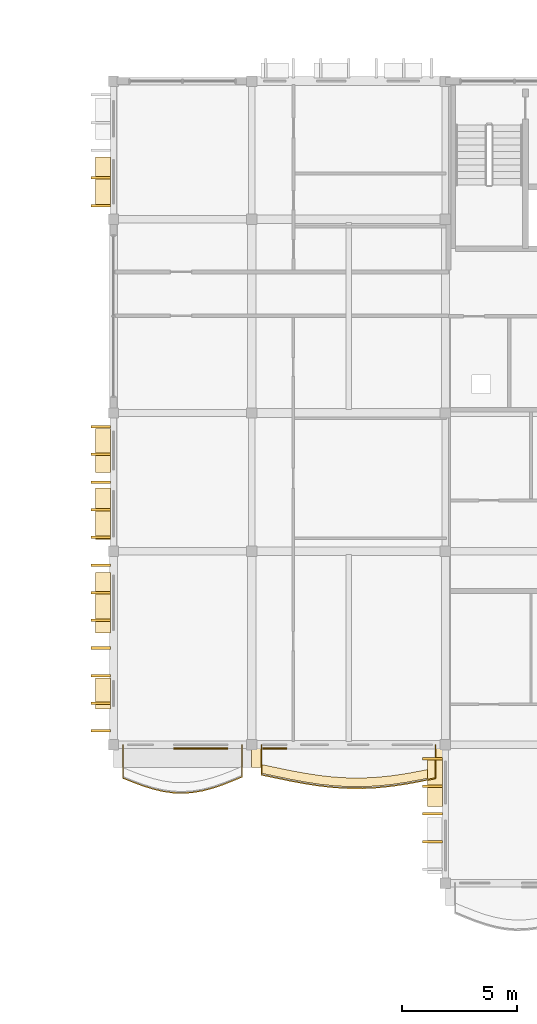
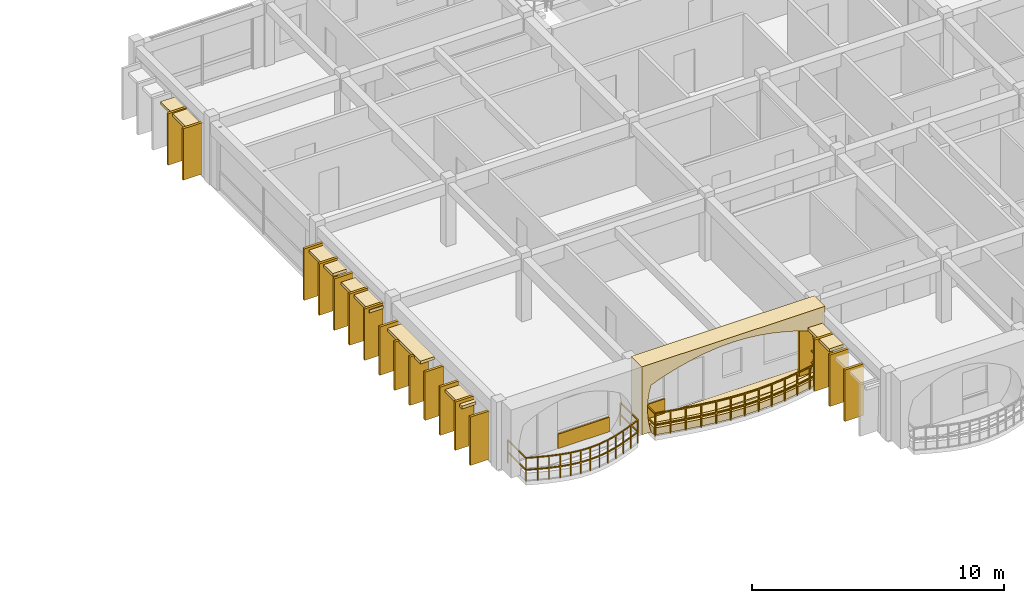
# One storey, part 67 of 76: 28 coverings, 2 railings.
"""IFC4 building model written with IfcOpenShell, lengths in metres."""

from ifc_helpers import new_model, si_unit, direction, frame, origin, origin_2d, place, context, subcontext, project, spatial, polyline, rectangle, outline, extrude, material, layer, layer_set, type_object, element, save


model = new_model("IFC4")

# Units and contexts
model_context = context("Model", 3, precision=1e-05, world=origin(), true_north=direction((0.0, 1.0)))
body_context = subcontext(model_context, "Body", "Model", "MODEL_VIEW")
ifc_project = project(units=[si_unit("LENGTHUNIT", "METRE"), si_unit("AREAUNIT", "SQUARE_METRE"), si_unit("VOLUMEUNIT", "CUBIC_METRE"), si_unit("PLANEANGLEUNIT", "RADIAN"), si_unit("MASSUNIT", "GRAM", prefix="KILO"), si_unit("THERMODYNAMICTEMPERATUREUNIT", "KELVIN")], contexts=[model_context])

# Site, building, storey
site_placement = place(None, origin())
site = spatial("IfcSite", under=ifc_project, at=site_placement, CompositionType="ELEMENT")
building_placement = place(site_placement, origin())
building = spatial("IfcBuilding", under=site, at=building_placement, Name="Thalorik Housing Commons", CompositionType="ELEMENT")
storey_placement = place(building_placement, frame((0.0, 0.0, 18.0)))
storey = spatial("IfcBuildingStorey", under=building, at=storey_placement, Name="L05", CompositionType="ELEMENT", Elevation=18.0)

# Coverings
ifc_material_1 = material(Name="Precast concrete C40/50", Category="concrete")
ifc_layer_1 = layer(ifc_material_1, 0.85009765625, Name="Precast concrete C40/50", Category="concrete")
ifc_layer_set_1 = layer_set([ifc_layer_1], Name="Precast concrete C40/50")
covering_type_1 = type_object("IfcCoveringType", Name="ARC-CLD-CUSH-850", PredefinedType="CLADDING", material=ifc_layer_set_1)
covering_1_placement = place(storey_placement, frame((148.199951171875, 42.64501953125, 0.0), z_axis=(0.0, 0.0, 1.0), x_axis=(1.0, 0.0, 0.0)))
element("IfcCovering", 1, at=covering_1_placement, inside=storey, type_object=covering_type_1, Name="L05 White Precast Curved Cushion Bay Frame 4878", PredefinedType="CLADDING", context=body_context, shape_type="SweptSolid", body=[
    extrude(outline(polyline([(-4.199951171875, 0.0), (4.199951171875, 0.0), (4.199951171875, 3.300048828125), (-4.199951171875, 3.300048828125), (-4.199951171875, 0.0)]), holes=[polyline([(3.6923828125, 0.02490234375), (3.799560546875, 0.399169921875), (3.864013671875, 0.773193359375), (3.885498046875, 1.1474609375), (3.864013671875, 1.521728515625), (3.799560546875, 1.895751953125), (3.6923828125, 2.27001953125), (3.06982421875, 2.50439453125), (2.447021484375, 2.6884765625), (1.824462890625, 2.837646484375), (1.20166015625, 2.948486328125), (0.5791015625, 3.016845703125), (-0.043701171875, 3.0400390625), (-0.66650390625, 3.016845703125), (-1.289306640625, 2.948486328125), (-1.911865234375, 2.837646484375), (-2.53466796875, 2.6884765625), (-3.1572265625, 2.50439453125), (-3.780029296875, 2.27001953125), (-3.86865234375, 1.895751953125), (-3.921875, 1.521728515625), (-3.939697265625, 1.1474609375), (-3.921875, 0.773193359375), (-3.86865234375, 0.399169921875), (-3.780029296875, 0.02490234375), (3.6923828125, 0.02490234375)])]), frame((0.0, 0.425048828125, 0.0), z_axis=(0.0, -1.0, 0.0), x_axis=(1.0, 0.0, 0.0)), (0.0, 0.0, 1.0), 0.85009765625),
])
ifc_layer_2 = layer(ifc_material_1, 0.85009765625, Name="Precast concrete C40/50", Category="concrete")
ifc_layer_set_2 = layer_set([ifc_layer_2], Name="Precast concrete C40/50")
covering_type_2 = type_object("IfcCoveringType", Name="ARC-CLD-FIN-850", PredefinedType="CLADDING", material=ifc_layer_set_2)
for number, where, z_axis, x_axis, name in (
    (2, (137.445068359375, 67.800048828125, 0.0400390625), (0.0, 0.0, 1.0), (0.0, -1.0, 0.0), "L05 Courtyard Precast Vertical Brise-Soleil Fin 4856"),
    (3, (137.445068359375, 66.60009765625, 0.0400390625), (0.0, 0.0, 1.0), (0.0, -1.0, 0.0), "L05 Courtyard Precast Vertical Brise-Soleil Fin 4857"),
    (4, (137.445068359375, 57.0, 0.0400390625), (0.0, 0.0, 1.0), (0.0, -1.0, 0.0), "L05 Courtyard Precast Vertical Brise-Soleil Fin 4860"),
    (5, (137.445068359375, 55.800048828125, 0.0400390625), (0.0, 0.0, 1.0), (0.0, -1.0, 0.0), "L05 Courtyard Precast Vertical Brise-Soleil Fin 4861"),
    (6, (137.445068359375, 54.60009765625, 0.0400390625), (0.0, 0.0, 1.0), (0.0, -1.0, 0.0), "L05 Courtyard Precast Vertical Brise-Soleil Fin 4862"),
    (7, (137.445068359375, 53.39990234375, 0.0400390625), (0.0, 0.0, 1.0), (0.0, -1.0, 0.0), "L05 Courtyard Precast Vertical Brise-Soleil Fin 4863"),
    (8, (137.445068359375, 52.199951171875, 0.0400390625), (0.0, 0.0, 1.0), (0.0, -1.0, 0.0), "L05 Courtyard Precast Vertical Brise-Soleil Fin 4864"),
):
    element("IfcCovering", number, at=place(storey_placement, frame(where, z_axis=z_axis, x_axis=x_axis)), inside=storey, type_object=covering_type_2, Name=name, PredefinedType="CLADDING", context=body_context, shape_type="SweptSolid", body=[
        extrude(rectangle(XDim=0.110107421875, YDim=0.85009765625, at=origin_2d()), origin(), (0.0, 0.0, 1.0), 2.4951171875),
    ])
for number, where, z_axis, x_axis, name in (
    (9, (137.445068359375, 51.0, 0.0400390625), (0.0, 0.0, 1.0), (0.0, -1.0, 0.0), "L05 Courtyard Precast Vertical Brise-Soleil Fin 4867"),
    (10, (137.445068359375, 49.800048828125, 0.0400390625), (0.0, 0.0, 1.0), (0.0, -1.0, 0.0), "L05 Courtyard Precast Vertical Brise-Soleil Fin 4868"),
    (11, (137.445068359375, 48.60009765625, 0.0400390625), (0.0, 0.0, 1.0), (0.0, -1.0, 0.0), "L05 Courtyard Precast Vertical Brise-Soleil Fin 4869"),
    (12, (137.445068359375, 47.39990234375, 0.0400390625), (0.0, 0.0, 1.0), (0.0, -1.0, 0.0), "L05 Courtyard Precast Vertical Brise-Soleil Fin 4870"),
    (13, (137.445068359375, 46.199951171875, 0.0400390625), (0.0, 0.0, 1.0), (0.0, -1.0, 0.0), "L05 Courtyard Precast Vertical Brise-Soleil Fin 4871"),
    (14, (137.445068359375, 45.0, 0.0400390625), (0.0, 0.0, 1.0), (0.0, -1.0, 0.0), "L05 Courtyard Precast Vertical Brise-Soleil Fin 4872"),
    (15, (137.445068359375, 43.800048828125, 0.0400390625), (0.0, 0.0, 1.0), (0.0, -1.0, 0.0), "L05 Courtyard Precast Vertical Brise-Soleil Fin 4873"),
):
    element("IfcCovering", number, at=place(storey_placement, frame(where, z_axis=z_axis, x_axis=x_axis)), inside=storey, type_object=covering_type_2, Name=name, PredefinedType="CLADDING", context=body_context, shape_type="SweptSolid", body=[
        extrude(rectangle(XDim=0.110107421875, YDim=0.85009765625, at=origin_2d()), origin(), (0.0, 0.0, 1.0), 2.344970703125),
    ])
for number, where, z_axis, x_axis, name in (
    (16, (151.844970703125, 42.60009765625, 0.0400390625), (0.0, 0.0, 1.0), (0.0, -1.0, 0.0), "L05 Courtyard Precast Vertical Brise-Soleil Fin 4880"),
    (17, (151.844970703125, 41.39990234375, 0.0400390625), (0.0, 0.0, 1.0), (0.0, -1.0, 0.0), "L05 Courtyard Precast Vertical Brise-Soleil Fin 4881"),
    (18, (151.844970703125, 40.199951171875, 0.0400390625), (0.0, 0.0, 1.0), (0.0, -1.0, 0.0), "L05 Courtyard Precast Vertical Brise-Soleil Fin 4882"),
    (19, (151.844970703125, 39.0, 0.0400390625), (0.0, 0.0, 1.0), (0.0, -1.0, 0.0), "L05 Courtyard Precast Vertical Brise-Soleil Fin 4883"),
):
    element("IfcCovering", number, at=place(storey_placement, frame(where, z_axis=z_axis, x_axis=x_axis)), inside=storey, type_object=covering_type_2, Name=name, PredefinedType="CLADDING", context=body_context, shape_type="SweptSolid", body=[
        extrude(rectangle(XDim=0.110107421875, YDim=0.85009765625, at=origin_2d()), origin(), (0.0, 0.0, 1.0), 2.4951171875),
    ])
ifc_layer_3 = layer(ifc_material_1, 0.64990234375, Name="Precast concrete C40/50", Category="concrete")
ifc_layer_set_3 = layer_set([ifc_layer_3], Name="Precast concrete C40/50")
covering_type_3 = type_object("IfcCoveringType", Name="ARC-CLD-HOOD-650", PredefinedType="CLADDING", material=ifc_layer_set_3)
covering_2_placement = place(storey_placement, frame((137.544921875, 67.6298828125, 2.33984375), z_axis=(0.0, 0.0, 1.0), x_axis=(0.0, -1.0, 0.0)))
element("IfcCovering", 20, at=covering_2_placement, inside=storey, type_object=covering_type_3, Name="L05 Courtyard Precast Window Sun-Hood 4859", PredefinedType="CLADDING", context=body_context, shape_type="SweptSolid", body=[
    extrude(rectangle(XDim=2.139892578125, YDim=0.64990234375, at=origin_2d()), origin(), (0.0, 0.0, 1.0), 0.139892578125),
])
covering_3_placement = place(storey_placement, frame((137.544921875, 55.969970703125, 2.2900390625), z_axis=(0.0, 0.0, 1.0), x_axis=(0.0, -1.0, 0.0)))
element("IfcCovering", 21, at=covering_3_placement, inside=storey, type_object=covering_type_3, Name="L05 Courtyard Precast Window Sun-Hood 4865", PredefinedType="CLADDING", context=body_context, shape_type="SweptSolid", body=[
    extrude(rectangle(XDim=1.889892578125, YDim=0.64990234375, at=origin_2d()), origin(), (0.0, 0.0, 1.0), 0.139892578125),
])
covering_4_placement = place(storey_placement, frame((137.544921875, 53.22998046875, 2.2900390625), z_axis=(0.0, 0.0, 1.0), x_axis=(0.0, -1.0, 0.0)))
element("IfcCovering", 22, at=covering_4_placement, inside=storey, type_object=covering_type_3, Name="L05 Courtyard Precast Window Sun-Hood 4866", PredefinedType="CLADDING", context=body_context, shape_type="SweptSolid", body=[
    extrude(rectangle(XDim=2.239990234375, YDim=0.64990234375, at=origin_2d()), origin(), (0.0, 0.0, 1.0), 0.139892578125),
])
covering_5_placement = place(storey_placement, frame((137.544921875, 49.3701171875, 2.27001953125), z_axis=(0.0, 0.0, 1.0), x_axis=(0.0, -1.0, 0.0)))
element("IfcCovering", 23, at=covering_5_placement, inside=storey, type_object=covering_type_3, Name="L05 Courtyard Precast Window Sun-Hood 4874", PredefinedType="CLADDING", context=body_context, shape_type="SweptSolid", body=[
    extrude(rectangle(XDim=2.6201171875, YDim=0.64990234375, at=origin_2d()), origin(), (0.0, 0.0, 1.0), 0.139892578125),
])
covering_6_placement = place(storey_placement, frame((137.544921875, 45.429931640625, 2.08984375), z_axis=(0.0, 0.0, 1.0), x_axis=(0.0, -1.0, 0.0)))
element("IfcCovering", 24, at=covering_6_placement, inside=storey, type_object=covering_type_3, Name="L05 Courtyard Precast Window Sun-Hood 4875", PredefinedType="CLADDING", context=body_context, shape_type="SweptSolid", body=[
    extrude(rectangle(XDim=1.340087890625, YDim=0.64990234375, at=origin_2d()), origin(), (0.0, 0.0, 1.0), 0.139892578125),
])
covering_7_placement = place(storey_placement, frame((151.945068359375, 41.570068359375, 2.39013671875), z_axis=(0.0, 0.0, 1.0), x_axis=(0.0, -1.0, 0.0)))
element("IfcCovering", 25, at=covering_7_placement, inside=storey, type_object=covering_type_3, Name="L05 Courtyard Precast Window Sun-Hood 4885", PredefinedType="CLADDING", context=body_context, shape_type="SweptSolid", body=[
    extrude(rectangle(XDim=2.090087890625, YDim=0.64990234375, at=origin_2d()), origin(), (0.0, 0.0, 1.0), 0.139892578125),
])
ifc_material_2 = material(Name="Terracotta red mineral fibre-cement panel", Category="masonry")
ifc_layer_4 = layer(ifc_material_2, 0.054931640625, Name="Terracotta red mineral fibre-cement panel", Category="masonry")
ifc_layer_set_4 = layer_set([ifc_layer_4], Name="Terracotta red mineral fibre-cement panel")
covering_type_4 = type_object("IfcCoveringType", Name="ARC-CLD-RED-55", PredefinedType="CLADDING", material=ifc_layer_set_4)
covering_8_placement = place(storey_placement, frame((144.9951171875, 43.03759765625, 0.0498046875), z_axis=(0.0, 0.0, 1.0), x_axis=(1.0, 0.0, 0.0)))
element("IfcCovering", 26, at=covering_8_placement, inside=storey, type_object=covering_type_4, Name="L05 De Stijl Recessed Window Spandrel 4879", PredefinedType="CLADDING", context=body_context, shape_type="SweptSolid", body=[
    extrude(rectangle(XDim=1.050048828125, YDim=0.054931640625, at=origin_2d()), origin(), (0.0, 0.0, 1.0), 0.699951171875),
])
ifc_material_3 = material(Name="Mineral ochre architectural terracotta panel", Category="masonry")
ifc_layer_5 = layer(ifc_material_3, 0.06494140625, Name="Mineral ochre architectural terracotta panel", Category="masonry")
ifc_layer_set_5 = layer_set([ifc_layer_5], Name="Mineral ochre architectural terracotta panel")
covering_type_5 = type_object("IfcCoveringType", Name="ARC-CLD-YEL-65", PredefinedType="CLADDING", material=ifc_layer_set_5)
covering_9_placement = place(storey_placement, frame((141.7900390625, 43.032470703125, 0.0498046875), z_axis=(0.0, 0.0, 1.0), x_axis=(1.0, 0.0, 0.0)))
element("IfcCovering", 27, at=covering_9_placement, inside=storey, type_object=covering_type_5, Name="L05 De Stijl Recessed Window Spandrel 4877", PredefinedType="CLADDING", context=body_context, shape_type="SweptSolid", body=[
    extrude(rectangle(XDim=2.35009765625, YDim=0.06494140625, at=origin_2d()), origin(), (0.0, 0.0, 1.0), 0.699951171875),
])
ifc_material_4 = material(Name="Planted vegetated substrate and terracotta trough", Category="masonry")
ifc_layer_6 = layer(ifc_material_4, 0.340087890625, Name="Planted vegetated substrate and terracotta trough", Category="masonry")
ifc_layer_set_6 = layer_set([ifc_layer_6], Name="Planted vegetated substrate and terracotta trough")
covering_type_6 = type_object("IfcCoveringType", Name="ARC-COV-PLANTER", PredefinedType="USERDEFINED", material=ifc_layer_set_6)
covering_10_placement = place(storey_placement, origin())
element("IfcCovering", 28, at=covering_10_placement, inside=storey, type_object=covering_type_6, Name="L05 Balcony Slab-Edge Planted Trough 5684", ObjectType="PLANTER", PredefinedType="USERDEFINED", context=body_context, shape_type="SweptSolid", body=[
    extrude(outline(polyline([(144.419921875, 41.9658203125), (145.050048828125, 41.83203125), (145.679931640625, 41.702392578125), (146.31005859375, 41.58544921875), (146.93994140625, 41.4892578125), (147.570068359375, 41.42041015625), (148.199951171875, 41.38330078125), (148.830078125, 41.381103515625), (149.4599609375, 41.41357421875), (150.090087890625, 41.47900390625), (150.719970703125, 41.5732421875), (151.35009765625, 41.68994140625), (151.97998046875, 41.8212890625), (151.97998046875, 42.201416015625), (151.35009765625, 42.070068359375), (150.719970703125, 41.953369140625), (150.090087890625, 41.859130859375), (149.4599609375, 41.793701171875), (148.830078125, 41.760986328125), (148.199951171875, 41.763427734375), (147.570068359375, 41.80029296875), (146.93994140625, 41.869384765625), (146.31005859375, 41.965576171875), (145.679931640625, 42.08251953125), (145.050048828125, 42.212158203125), (144.419921875, 42.345703125), (144.419921875, 41.9658203125)])), origin(), (0.0, 0.0, 1.0), 0.340087890625),
])

# Railings
ifc_material_5 = material(Name="Steel S355", Category="steel")
railing_type_1 = type_object("IfcRailingType", Name="ARC-RL-BAL-112", PredefinedType="BALUSTRADE", material=ifc_material_5)
railing_1_placement = place(storey_placement, frame((144.419921875, 43.199951171875, 0.0)))
element("IfcRailing", 29, at=railing_1_placement, inside=storey, type_object=railing_type_1, Name="L05 Cushion Balcony Guardrail 368", PredefinedType="BALUSTRADE", context=body_context, shape_type="SweptSolid", body=[
    extrude(rectangle(XDim=0.050048828125, YDim=0.050048828125, at=origin_2d()), frame((0.0, 0.0, 1.09521484375), z_axis=(0.0, -1.0, 0.0), x_axis=(1.0, 0.0, 0.0)), (0.0, 0.0, 1.0), 1.30419921875),
    extrude(rectangle(XDim=0.050048828125, YDim=0.050048828125, at=origin_2d()), frame((0.0, 0.0, 0.53515625), z_axis=(0.0, -1.0, 0.0), x_axis=(1.0, 0.0, 0.0)), (0.0, 0.0, 1.0), 1.30419921875),
    extrude(rectangle(XDim=0.050048828125, YDim=0.050048828125, at=origin_2d()), frame((0.0, -1.30419921875, 1.09521484375), z_axis=(0.978271412584, -0.207328346642, 0.0), x_axis=(0.207328346642, 0.978271412584, 0.0)), (0.0, 0.0, 1.0), 0.64404296875),
    extrude(rectangle(XDim=0.050048828125, YDim=0.050048828125, at=origin_2d()), frame((0.0, -1.30419921875, 0.53515625), z_axis=(0.978271412584, -0.207328346642, 0.0), x_axis=(0.207328346642, 0.978271412584, 0.0)), (0.0, 0.0, 1.0), 0.64404296875),
    extrude(rectangle(XDim=0.050048828125, YDim=0.050048828125, at=origin_2d()), frame((0.630126953125, -1.437744140625, 1.09521484375), z_axis=(0.979395251557, -0.201952819313, 0.0), x_axis=(0.201952819313, 0.979395251557, 0.0)), (0.0, 0.0, 1.0), 0.64306640625),
    extrude(rectangle(XDim=0.050048828125, YDim=0.050048828125, at=origin_2d()), frame((0.630126953125, -1.437744140625, 0.53515625), z_axis=(0.979395251557, -0.201952819313, 0.0), x_axis=(0.201952819313, 0.979395251557, 0.0)), (0.0, 0.0, 1.0), 0.64306640625),
    extrude(rectangle(XDim=0.050048828125, YDim=0.050048828125, at=origin_2d()), frame((1.260009765625, -1.567626953125, 1.09521484375), z_axis=(0.983211198872, -0.182471198861, 0.0), x_axis=(0.182471198861, 0.983211198872, 0.0)), (0.0, 0.0, 1.0), 0.640869140625),
    extrude(rectangle(XDim=0.050048828125, YDim=0.050048828125, at=origin_2d()), frame((1.260009765625, -1.567626953125, 0.53515625), z_axis=(0.983211198872, -0.182471198861, 0.0), x_axis=(0.182471198861, 0.983211198872, 0.0)), (0.0, 0.0, 1.0), 0.640869140625),
    extrude(rectangle(XDim=0.050048828125, YDim=0.050048828125, at=origin_2d()), frame((1.89013671875, -1.6845703125, 1.09521484375), z_axis=(0.988539414432, -0.150962995847, 0.0), x_axis=(0.150962995847, 0.988539414432, 0.0)), (0.0, 0.0, 1.0), 0.63720703125),
    extrude(rectangle(XDim=0.050048828125, YDim=0.050048828125, at=origin_2d()), frame((1.89013671875, -1.6845703125, 0.53515625), z_axis=(0.988539414432, -0.150962995847, 0.0), x_axis=(0.150962995847, 0.988539414432, 0.0)), (0.0, 0.0, 1.0), 0.63720703125),
    extrude(rectangle(XDim=0.050048828125, YDim=0.050048828125, at=origin_2d()), frame((2.52001953125, -1.78076171875, 1.09521484375), z_axis=(0.994084043732, -0.108613599509, 0.0), x_axis=(0.108613599509, 0.994084043732, 0.0)), (0.0, 0.0, 1.0), 0.6337890625),
    extrude(rectangle(XDim=0.050048828125, YDim=0.050048828125, at=origin_2d()), frame((2.52001953125, -1.78076171875, 0.53515625), z_axis=(0.994084043732, -0.108613599509, 0.0), x_axis=(0.108613599509, 0.994084043732, 0.0)), (0.0, 0.0, 1.0), 0.6337890625),
    extrude(rectangle(XDim=0.050048828125, YDim=0.050048828125, at=origin_2d()), frame((3.150146484375, -1.849609375, 1.09521484375), z_axis=(0.998291674977, -0.058427148419, 0.0), x_axis=(0.058427148419, 0.998291674977, 0.0)), (0.0, 0.0, 1.0), 0.630859375),
    extrude(rectangle(XDim=0.050048828125, YDim=0.050048828125, at=origin_2d()), frame((3.150146484375, -1.849609375, 0.53515625), z_axis=(0.998291674977, -0.058427148419, 0.0), x_axis=(0.058427148419, 0.998291674977, 0.0)), (0.0, 0.0, 1.0), 0.630859375),
    extrude(rectangle(XDim=0.050048828125, YDim=0.050048828125, at=origin_2d()), frame((3.780029296875, -1.886474609375, 1.09521484375), z_axis=(0.999992494336, -0.00387443818, 0.0), x_axis=(0.00387443818, 0.999992494336, 0.0)), (0.0, 0.0, 1.0), 0.630126953125),
    extrude(rectangle(XDim=0.050048828125, YDim=0.050048828125, at=origin_2d()), frame((3.780029296875, -1.886474609375, 0.53515625), z_axis=(0.999992494336, -0.00387443818, 0.0), x_axis=(0.00387443818, 0.999992494336, 0.0)), (0.0, 0.0, 1.0), 0.630126953125),
    extrude(rectangle(XDim=0.050048828125, YDim=0.050048828125, at=origin_2d()), frame((4.41015625, -1.888916015625, 1.09521484375), z_axis=(0.998673921168, 0.051482027719, 0.0), x_axis=(-0.051482027719, 0.998673921168, 0.0)), (0.0, 0.0, 1.0), 0.630615234375),
    extrude(rectangle(XDim=0.050048828125, YDim=0.050048828125, at=origin_2d()), frame((4.41015625, -1.888916015625, 0.53515625), z_axis=(0.998673921168, 0.051482027719, 0.0), x_axis=(-0.051482027719, 0.998673921168, 0.0)), (0.0, 0.0, 1.0), 0.630615234375),
    extrude(rectangle(XDim=0.050048828125, YDim=0.050048828125, at=origin_2d()), frame((5.0400390625, -1.8564453125, 1.09521484375), z_axis=(0.994612616191, 0.103661679099, 0.0), x_axis=(-0.103661679099, 0.994612616191, 0.0)), (0.0, 0.0, 1.0), 0.633544921875),
    extrude(rectangle(XDim=0.050048828125, YDim=0.050048828125, at=origin_2d()), frame((5.0400390625, -1.8564453125, 0.53515625), z_axis=(0.994612616191, 0.103661679099, 0.0), x_axis=(-0.103661679099, 0.994612616191, 0.0)), (0.0, 0.0, 1.0), 0.633544921875),
    extrude(rectangle(XDim=0.050048828125, YDim=0.050048828125, at=origin_2d()), frame((5.670166015625, -1.790771484375, 1.09521484375), z_axis=(0.988992516102, 0.147965546983, 0.0), x_axis=(-0.147965546983, 0.988992516102, 0.0)), (0.0, 0.0, 1.0), 0.636962890625),
    extrude(rectangle(XDim=0.050048828125, YDim=0.050048828125, at=origin_2d()), frame((5.670166015625, -1.790771484375, 0.53515625), z_axis=(0.988992516102, 0.147965546983, 0.0), x_axis=(-0.147965546983, 0.988992516102, 0.0)), (0.0, 0.0, 1.0), 0.636962890625),
    extrude(rectangle(XDim=0.050048828125, YDim=0.050048828125, at=origin_2d()), frame((6.300048828125, -1.696533203125, 1.09521484375), z_axis=(0.983279478574, 0.18210290227, 0.0), x_axis=(-0.18210290227, 0.983279478574, 0.0)), (0.0, 0.0, 1.0), 0.640869140625),
    extrude(rectangle(XDim=0.050048828125, YDim=0.050048828125, at=origin_2d()), frame((6.300048828125, -1.696533203125, 0.53515625), z_axis=(0.983279478574, 0.18210290227, 0.0), x_axis=(-0.18210290227, 0.983279478574, 0.0)), (0.0, 0.0, 1.0), 0.640869140625),
    extrude(rectangle(XDim=0.050048828125, YDim=0.050048828125, at=origin_2d()), frame((6.93017578125, -1.579833984375, 1.09521484375), z_axis=(0.978942522478, 0.204136076393, 0.0), x_axis=(-0.204136076393, 0.978942522478, 0.0)), (0.0, 0.0, 1.0), 0.643310546875),
    extrude(rectangle(XDim=0.050048828125, YDim=0.050048828125, at=origin_2d()), frame((6.93017578125, -1.579833984375, 0.53515625), z_axis=(0.978942522478, 0.204136076393, 0.0), x_axis=(-0.204136076393, 0.978942522478, 0.0)), (0.0, 0.0, 1.0), 0.643310546875),
    extrude(rectangle(XDim=0.050048828125, YDim=0.050048828125, at=origin_2d()), frame((7.56005859375, -1.448486328125, 1.09521484375), z_axis=(0.0, 1.0, 0.0), x_axis=(-1.0, 0.0, 0.0)), (0.0, 0.0, 1.0), 1.448486328125),
    extrude(rectangle(XDim=0.050048828125, YDim=0.050048828125, at=origin_2d()), frame((7.56005859375, -1.448486328125, 0.53515625), z_axis=(0.0, 1.0, 0.0), x_axis=(-1.0, 0.0, 0.0)), (0.0, 0.0, 1.0), 1.448486328125),
    extrude(rectangle(XDim=0.0419921875, YDim=0.0419921875, at=origin_2d()), origin(), (0.0, 0.0, 1.0), 1.070068359375),
    extrude(rectangle(XDim=0.0419921875, YDim=0.0419921875, at=origin_2d()), frame((0.0, -1.30419921875, 0.0)), (0.0, 0.0, 1.0), 1.070068359375),
    extrude(rectangle(XDim=0.0419921875, YDim=0.0419921875, at=origin_2d()), frame((0.630126953125, -1.437744140625, 0.0)), (0.0, 0.0, 1.0), 1.070068359375),
    extrude(rectangle(XDim=0.0419921875, YDim=0.0419921875, at=origin_2d()), frame((1.260009765625, -1.567626953125, 0.0)), (0.0, 0.0, 1.0), 1.070068359375),
    extrude(rectangle(XDim=0.0419921875, YDim=0.0419921875, at=origin_2d()), frame((1.89013671875, -1.6845703125, 0.0)), (0.0, 0.0, 1.0), 1.070068359375),
    extrude(rectangle(XDim=0.0419921875, YDim=0.0419921875, at=origin_2d()), frame((2.52001953125, -1.78076171875, 0.0)), (0.0, 0.0, 1.0), 1.070068359375),
    extrude(rectangle(XDim=0.0419921875, YDim=0.0419921875, at=origin_2d()), frame((3.150146484375, -1.849609375, 0.0)), (0.0, 0.0, 1.0), 1.070068359375),
    extrude(rectangle(XDim=0.0419921875, YDim=0.0419921875, at=origin_2d()), frame((3.780029296875, -1.886474609375, 0.0)), (0.0, 0.0, 1.0), 1.070068359375),
    extrude(rectangle(XDim=0.0419921875, YDim=0.0419921875, at=origin_2d()), frame((4.41015625, -1.888916015625, 0.0)), (0.0, 0.0, 1.0), 1.070068359375),
    extrude(rectangle(XDim=0.0419921875, YDim=0.0419921875, at=origin_2d()), frame((5.0400390625, -1.8564453125, 0.0)), (0.0, 0.0, 1.0), 1.070068359375),
    extrude(rectangle(XDim=0.0419921875, YDim=0.0419921875, at=origin_2d()), frame((5.670166015625, -1.790771484375, 0.0)), (0.0, 0.0, 1.0), 1.070068359375),
    extrude(rectangle(XDim=0.0419921875, YDim=0.0419921875, at=origin_2d()), frame((6.300048828125, -1.696533203125, 0.0)), (0.0, 0.0, 1.0), 1.070068359375),
    extrude(rectangle(XDim=0.0419921875, YDim=0.0419921875, at=origin_2d()), frame((6.93017578125, -1.579833984375, 0.0)), (0.0, 0.0, 1.0), 1.070068359375),
    extrude(rectangle(XDim=0.0419921875, YDim=0.0419921875, at=origin_2d()), frame((7.56005859375, -1.448486328125, 0.0)), (0.0, 0.0, 1.0), 1.070068359375),
    extrude(rectangle(XDim=0.0419921875, YDim=0.0419921875, at=origin_2d()), frame((7.56005859375, 0.0, 0.0)), (0.0, 0.0, 1.0), 1.070068359375),
])
railing_type_2 = type_object("IfcRailingType", Name="ARC-RL-BAL-115", PredefinedType="BALUSTRADE", material=ifc_material_5)
railing_2_placement = place(storey_placement, frame((138.419921875, 43.199951171875, 0.0)))
element("IfcRailing", 30, at=railing_2_placement, inside=storey, type_object=railing_type_2, Name="L05 Cushion Balcony Guardrail 367", PredefinedType="BALUSTRADE", context=body_context, shape_type="SweptSolid", body=[
    extrude(rectangle(XDim=0.050048828125, YDim=0.050048828125, at=origin_2d()), frame((0.0, 0.0, 1.125), z_axis=(0.0, -1.0, 0.0), x_axis=(1.0, 0.0, 0.0)), (0.0, 0.0, 1.0), 1.4462890625),
    extrude(rectangle(XDim=0.050048828125, YDim=0.050048828125, at=origin_2d()), frame((0.0, 0.0, 0.5498046875), z_axis=(0.0, -1.0, 0.0), x_axis=(1.0, 0.0, 0.0)), (0.0, 0.0, 1.0), 1.4462890625),
    extrude(rectangle(XDim=0.050048828125, YDim=0.050048828125, at=origin_2d()), frame((0.0, -1.4462890625, 1.125), z_axis=(0.927164518646, -0.374654447943, 0.0), x_axis=(0.374654447943, 0.927164518646, 0.0)), (0.0, 0.0, 1.0), 0.4638671875),
    extrude(rectangle(XDim=0.050048828125, YDim=0.050048828125, at=origin_2d()), frame((0.0, -1.4462890625, 0.5498046875), z_axis=(0.927164518646, -0.374654447943, 0.0), x_axis=(0.374654447943, 0.927164518646, 0.0)), (0.0, 0.0, 1.0), 0.4638671875),
    extrude(rectangle(XDim=0.050048828125, YDim=0.050048828125, at=origin_2d()), frame((0.43017578125, -1.6201171875, 1.125), z_axis=(0.93726634386, -0.348614114269, 0.0), x_axis=(0.348614114269, 0.93726634386, 0.0)), (0.0, 0.0, 1.0), 0.458740234375),
    extrude(rectangle(XDim=0.050048828125, YDim=0.050048828125, at=origin_2d()), frame((0.43017578125, -1.6201171875, 0.5498046875), z_axis=(0.93726634386, -0.348614114269, 0.0), x_axis=(0.348614114269, 0.93726634386, 0.0)), (0.0, 0.0, 1.0), 0.458740234375),
    extrude(rectangle(XDim=0.050048828125, YDim=0.050048828125, at=origin_2d()), frame((0.860107421875, -1.780029296875, 1.125), z_axis=(0.953909569084, -0.300094208559, 0.0), x_axis=(0.300094208559, 0.953909569084, 0.0)), (0.0, 0.0, 1.0), 0.45068359375),
    extrude(rectangle(XDim=0.050048828125, YDim=0.050048828125, at=origin_2d()), frame((0.860107421875, -1.780029296875, 0.5498046875), z_axis=(0.953909569084, -0.300094208559, 0.0), x_axis=(0.300094208559, 0.953909569084, 0.0)), (0.0, 0.0, 1.0), 0.45068359375),
    extrude(rectangle(XDim=0.050048828125, YDim=0.050048828125, at=origin_2d()), frame((1.2900390625, -1.915283203125, 1.125), z_axis=(0.973090069964, -0.230425076192, 0.0), x_axis=(0.230425076192, 0.973090069964, 0.0)), (0.0, 0.0, 1.0), 0.44189453125),
    extrude(rectangle(XDim=0.050048828125, YDim=0.050048828125, at=origin_2d()), frame((1.2900390625, -1.915283203125, 0.5498046875), z_axis=(0.973090069964, -0.230425076192, 0.0), x_axis=(0.230425076192, 0.973090069964, 0.0)), (0.0, 0.0, 1.0), 0.44189453125),
    extrude(rectangle(XDim=0.050048828125, YDim=0.050048828125, at=origin_2d()), frame((1.719970703125, -2.01708984375, 1.125), z_axis=(0.989848121043, -0.142129156994, 0.0), x_axis=(0.142129156994, 0.989848121043, 0.0)), (0.0, 0.0, 1.0), 0.4345703125),
    extrude(rectangle(XDim=0.050048828125, YDim=0.050048828125, at=origin_2d()), frame((1.719970703125, -2.01708984375, 0.5498046875), z_axis=(0.989848121043, -0.142129156994, 0.0), x_axis=(0.142129156994, 0.989848121043, 0.0)), (0.0, 0.0, 1.0), 0.4345703125),
    extrude(rectangle(XDim=0.050048828125, YDim=0.050048828125, at=origin_2d()), frame((2.150146484375, -2.078857421875, 1.125), z_axis=(0.999210898113, -0.039718775053, 0.0), x_axis=(0.039718775053, 0.999210898113, 0.0)), (0.0, 0.0, 1.0), 0.43017578125),
    extrude(rectangle(XDim=0.050048828125, YDim=0.050048828125, at=origin_2d()), frame((2.150146484375, -2.078857421875, 0.5498046875), z_axis=(0.999210898113, -0.039718775053, 0.0), x_axis=(0.039718775053, 0.999210898113, 0.0)), (0.0, 0.0, 1.0), 0.43017578125),
    extrude(rectangle(XDim=0.050048828125, YDim=0.050048828125, at=origin_2d()), frame((2.580078125, -2.095947265625, 1.125), z_axis=(0.997762537193, 0.066857455644, 0.0), x_axis=(-0.066857455644, 0.997762537193, 0.0)), (0.0, 0.0, 1.0), 0.430908203125),
    extrude(rectangle(XDim=0.050048828125, YDim=0.050048828125, at=origin_2d()), frame((2.580078125, -2.095947265625, 0.5498046875), z_axis=(0.997762537193, 0.066857455644, 0.0), x_axis=(-0.066857455644, 0.997762537193, 0.0)), (0.0, 0.0, 1.0), 0.430908203125),
    extrude(rectangle(XDim=0.050048828125, YDim=0.050048828125, at=origin_2d()), frame((3.010009765625, -2.067138671875, 1.125), z_axis=(0.98608974454, 0.166213765113, 0.0), x_axis=(-0.166213765113, 0.98608974454, 0.0)), (0.0, 0.0, 1.0), 0.436279296875),
    extrude(rectangle(XDim=0.050048828125, YDim=0.050048828125, at=origin_2d()), frame((3.010009765625, -2.067138671875, 0.5498046875), z_axis=(0.98608974454, 0.166213765113, 0.0), x_axis=(-0.166213765113, 0.98608974454, 0.0)), (0.0, 0.0, 1.0), 0.436279296875),
    extrude(rectangle(XDim=0.050048828125, YDim=0.050048828125, at=origin_2d()), frame((3.440185546875, -1.99462890625, 1.125), z_axis=(0.967669770052, 0.252220570388, 0.0), x_axis=(-0.252220570388, 0.967669770052, 0.0)), (0.0, 0.0, 1.0), 0.4443359375),
    extrude(rectangle(XDim=0.050048828125, YDim=0.050048828125, at=origin_2d()), frame((3.440185546875, -1.99462890625, 0.5498046875), z_axis=(0.967669770052, 0.252220570388, 0.0), x_axis=(-0.252220570388, 0.967669770052, 0.0)), (0.0, 0.0, 1.0), 0.4443359375),
    extrude(rectangle(XDim=0.050048828125, YDim=0.050048828125, at=origin_2d()), frame((3.8701171875, -1.882568359375, 1.125), z_axis=(0.947872818524, 0.318648897539, 0.0), x_axis=(-0.318648897539, 0.947872818524, 0.0)), (0.0, 0.0, 1.0), 0.45361328125),
    extrude(rectangle(XDim=0.050048828125, YDim=0.050048828125, at=origin_2d()), frame((3.8701171875, -1.882568359375, 0.5498046875), z_axis=(0.947872818524, 0.318648897539, 0.0), x_axis=(-0.318648897539, 0.947872818524, 0.0)), (0.0, 0.0, 1.0), 0.45361328125),
    extrude(rectangle(XDim=0.050048828125, YDim=0.050048828125, at=origin_2d()), frame((4.300048828125, -1.738037109375, 1.125), z_axis=(0.931795986595, 0.362982422944, 0.0), x_axis=(-0.362982422944, 0.931795986595, 0.0)), (0.0, 0.0, 1.0), 0.46142578125),
    extrude(rectangle(XDim=0.050048828125, YDim=0.050048828125, at=origin_2d()), frame((4.300048828125, -1.738037109375, 0.5498046875), z_axis=(0.931795986595, 0.362982422944, 0.0), x_axis=(-0.362982422944, 0.931795986595, 0.0)), (0.0, 0.0, 1.0), 0.46142578125),
    extrude(rectangle(XDim=0.050048828125, YDim=0.050048828125, at=origin_2d()), frame((4.72998046875, -1.570556640625, 1.125), z_axis=(0.922549378701, 0.385879053407, 0.0), x_axis=(-0.385879053407, 0.922549378701, 0.0)), (0.0, 0.0, 1.0), 0.46630859375),
    extrude(rectangle(XDim=0.050048828125, YDim=0.050048828125, at=origin_2d()), frame((4.72998046875, -1.570556640625, 0.5498046875), z_axis=(0.922549378701, 0.385879053407, 0.0), x_axis=(-0.385879053407, 0.922549378701, 0.0)), (0.0, 0.0, 1.0), 0.46630859375),
    extrude(rectangle(XDim=0.050048828125, YDim=0.050048828125, at=origin_2d()), frame((5.16015625, -1.390625, 1.125), z_axis=(0.0, 1.0, 0.0), x_axis=(-1.0, 0.0, 0.0)), (0.0, 0.0, 1.0), 1.390625),
    extrude(rectangle(XDim=0.050048828125, YDim=0.050048828125, at=origin_2d()), frame((5.16015625, -1.390625, 0.5498046875), z_axis=(0.0, 1.0, 0.0), x_axis=(-1.0, 0.0, 0.0)), (0.0, 0.0, 1.0), 1.390625),
    extrude(rectangle(XDim=0.0419921875, YDim=0.0419921875, at=origin_2d()), origin(), (0.0, 0.0, 1.0), 1.099853515625),
    extrude(rectangle(XDim=0.0419921875, YDim=0.0419921875, at=origin_2d()), frame((0.0, -1.4462890625, 0.0)), (0.0, 0.0, 1.0), 1.099853515625),
    extrude(rectangle(XDim=0.0419921875, YDim=0.0419921875, at=origin_2d()), frame((0.43017578125, -1.6201171875, 0.0)), (0.0, 0.0, 1.0), 1.099853515625),
    extrude(rectangle(XDim=0.0419921875, YDim=0.0419921875, at=origin_2d()), frame((0.860107421875, -1.780029296875, 0.0)), (0.0, 0.0, 1.0), 1.099853515625),
    extrude(rectangle(XDim=0.0419921875, YDim=0.0419921875, at=origin_2d()), frame((1.2900390625, -1.915283203125, 0.0)), (0.0, 0.0, 1.0), 1.099853515625),
    extrude(rectangle(XDim=0.0419921875, YDim=0.0419921875, at=origin_2d()), frame((1.719970703125, -2.01708984375, 0.0)), (0.0, 0.0, 1.0), 1.099853515625),
    extrude(rectangle(XDim=0.0419921875, YDim=0.0419921875, at=origin_2d()), frame((2.150146484375, -2.078857421875, 0.0)), (0.0, 0.0, 1.0), 1.099853515625),
    extrude(rectangle(XDim=0.0419921875, YDim=0.0419921875, at=origin_2d()), frame((2.580078125, -2.095947265625, 0.0)), (0.0, 0.0, 1.0), 1.099853515625),
    extrude(rectangle(XDim=0.0419921875, YDim=0.0419921875, at=origin_2d()), frame((3.010009765625, -2.067138671875, 0.0)), (0.0, 0.0, 1.0), 1.099853515625),
    extrude(rectangle(XDim=0.0419921875, YDim=0.0419921875, at=origin_2d()), frame((3.440185546875, -1.99462890625, 0.0)), (0.0, 0.0, 1.0), 1.099853515625),
    extrude(rectangle(XDim=0.0419921875, YDim=0.0419921875, at=origin_2d()), frame((3.8701171875, -1.882568359375, 0.0)), (0.0, 0.0, 1.0), 1.099853515625),
    extrude(rectangle(XDim=0.0419921875, YDim=0.0419921875, at=origin_2d()), frame((4.300048828125, -1.738037109375, 0.0)), (0.0, 0.0, 1.0), 1.099853515625),
    extrude(rectangle(XDim=0.0419921875, YDim=0.0419921875, at=origin_2d()), frame((4.72998046875, -1.570556640625, 0.0)), (0.0, 0.0, 1.0), 1.099853515625),
    extrude(rectangle(XDim=0.0419921875, YDim=0.0419921875, at=origin_2d()), frame((5.16015625, -1.390625, 0.0)), (0.0, 0.0, 1.0), 1.099853515625),
    extrude(rectangle(XDim=0.0419921875, YDim=0.0419921875, at=origin_2d()), frame((5.16015625, 0.0, 0.0)), (0.0, 0.0, 1.0), 1.099853515625),
])

save(model, "model.ifc")
